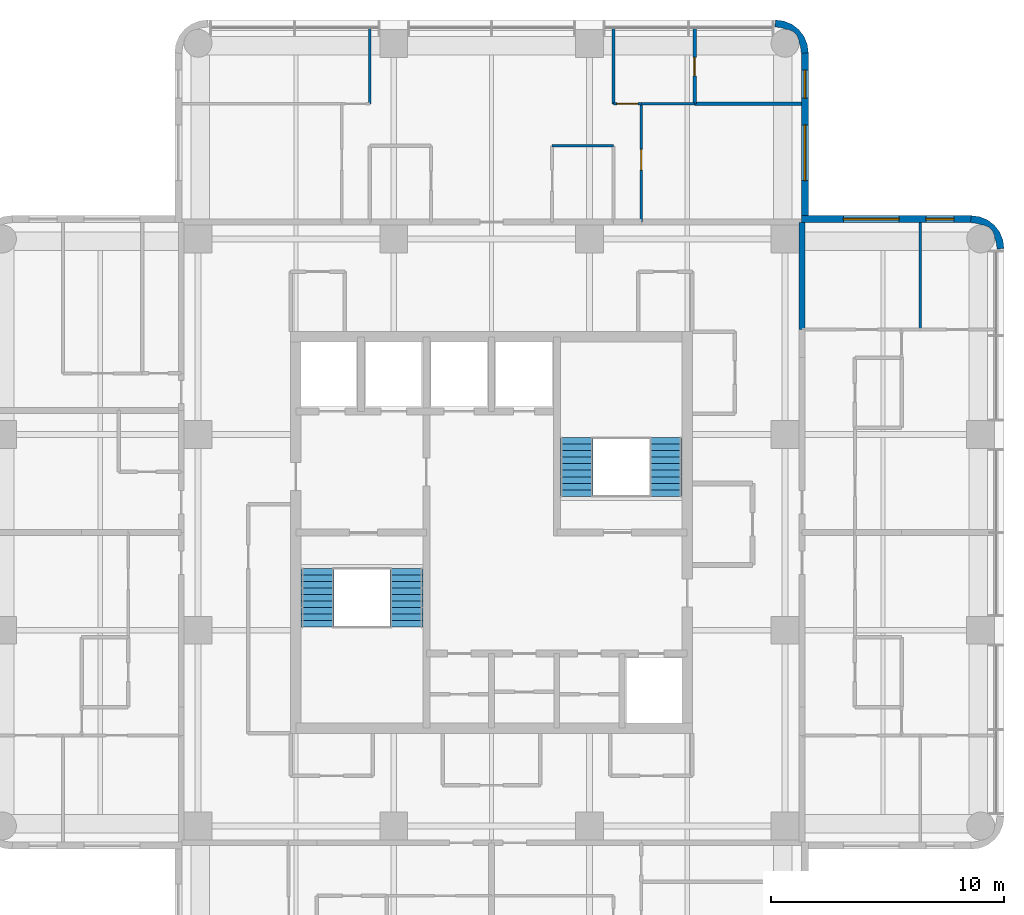
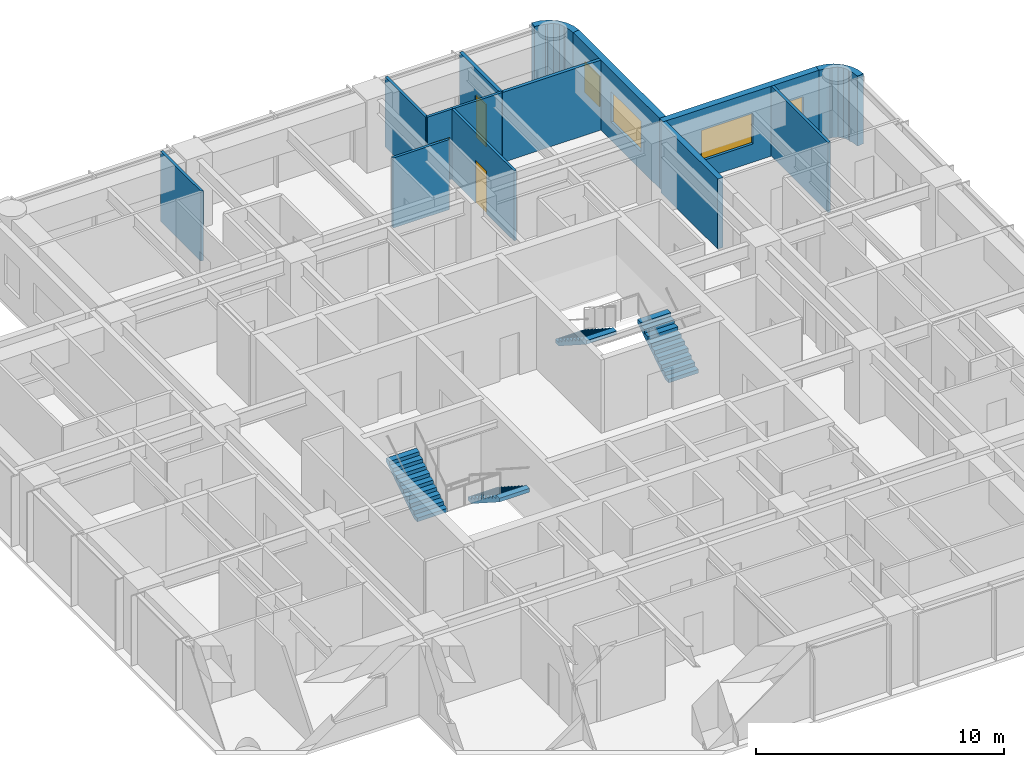
# One storey, part 9 of 10: 14 walls, 4 stair flights, 4 windows, 3 doors, 7 openings, 2 elements without a shape of their own.
"""IFC4 building model written with IfcOpenShell, lengths in metres."""

from ifc_helpers import new_model, si_unit, direction, frame, frame_2d, origin, place, context, subcontext, project, spatial, polyline, rectangle, outline, extrude, material, layer, layer_set, type_object, element, fill, aggregate, save


model = new_model("IFC4")

# Units and contexts
model_context = context("Model", 3, precision=1e-05, world=origin(), true_north=direction((0.0, 1.0)))
body_context = subcontext(model_context, "Body", "Model", "MODEL_VIEW")
ifc_project = project(units=[si_unit("LENGTHUNIT", "METRE"), si_unit("AREAUNIT", "SQUARE_METRE"), si_unit("VOLUMEUNIT", "CUBIC_METRE"), si_unit("PLANEANGLEUNIT", "RADIAN"), si_unit("MASSUNIT", "GRAM", prefix="KILO")], contexts=[model_context])

# Site, building, storey
site_placement = place(None, origin())
site = spatial("IfcSite", under=ifc_project, at=site_placement, CompositionType="ELEMENT")
building_placement = place(site_placement, origin())
building = spatial("IfcBuilding", under=site, at=building_placement, Name="Torre Alcanfor", CompositionType="ELEMENT")
storey_placement = place(building_placement, frame((0.0, 0.0, 290.10009765625)))
storey = spatial("IfcBuildingStorey", under=building, at=storey_placement, Name="L76", CompositionType="ELEMENT", Elevation=290.10009765625)

# Walls
ifc_material_1 = material(Name="Concrete block masonry, hollow blocks NMX-C-404 9 MPa", Category="masonry")
ifc_layer_1 = layer(ifc_material_1, 0.25)
ifc_layer_set_1 = layer_set([ifc_layer_1], Name="Apartment entrance wall 250 EI 60")
wall_type_1 = type_object("IfcWallType", Name="Apartment entrance wall 250 EI 60", PredefinedType="PARTITIONING", material=ifc_layer_set_1)
wall_1_placement = place(storey_placement, frame((42.72509765625, 42.699951171875, 0.0), z_axis=(0.0, 0.0, 1.0), x_axis=(0.0, -1.0, 0.0)))
element("IfcWall", 1, at=wall_1_placement, inside=storey, type_object=wall_type_1, Name="Partition L76-CORR / L76-E1-MASTER", PredefinedType="PARTITIONING", context=body_context, shape_type="SweptSolid", body=[
    extrude(rectangle(XDim=4.5859375, YDim=0.25, at=frame_2d((2.29296875, 0.0))), origin(), (0.0, 0.0, 1.0), 3.449951171875),
])
ifc_material_2 = material(Name="Gypsum board on steel studs", Category="steel")
ifc_layer_2 = layer(ifc_material_2, 0.1201171875)
ifc_layer_set_2 = layer_set([ifc_layer_2], Name="Apartment partition 120")
wall_type_2 = type_object("IfcWallType", Name="Apartment partition 120", PredefinedType="PARTITIONING", material=ifc_layer_set_2)
wall_2_placement = place(storey_placement, frame((34.62890625, 46.0, 0.0), z_axis=(0.0, 0.0, 1.0), x_axis=(-1.0, 0.0, 0.0)))
element("IfcWall", 2, at=wall_2_placement, inside=storey, type_object=wall_type_2, Name="Partition L76-NX-KITCHEN / L76-NX-LIVING", PredefinedType="PARTITIONING", context=body_context, shape_type="SweptSolid", body=[
    extrude(rectangle(XDim=2.62890625, YDim=0.1201171875, at=frame_2d((1.314453125, 0.0))), origin(), (0.0, 0.0, 1.0), 3.449951171875),
])
wall_3_placement = place(storey_placement, frame((24.1708984375, 47.800048828125, 0.0), z_axis=(0.0, 0.0, 1.0), x_axis=(0.0, 1.0, 0.0)))
element("IfcWall", 3, at=wall_3_placement, inside=storey, type_object=wall_type_2, Name="Partition L76-NX-LIVING / L76-NX-MASTER", PredefinedType="PARTITIONING", context=body_context, shape_type="SweptSolid", body=[
    extrude(rectangle(XDim=3.25, YDim=0.1201171875, at=frame_2d((1.625, 0.0))), origin(), (0.0, 0.0, 1.0), 3.449951171875),
])

# Wall, opening, door
wall_4_placement = place(storey_placement, frame((35.8291015625, 47.800048828125, 0.0), z_axis=(0.0, 0.0, 1.0), x_axis=(0.0, -1.0, 0.0)))
wall_4 = element("IfcWall", 4, at=wall_4_placement, inside=storey, type_object=wall_type_2, Name="Partition L76-NX-LIVING / L76-NX-BED3", PredefinedType="PARTITIONING", context=body_context, shape_type="SweptSolid", body=[
    extrude(rectangle(XDim=5.074951171875, YDim=0.1201171875, at=frame_2d((2.53759765625, 0.0))), origin(), (0.0, 0.0, 1.0), 3.449951171875),
])
opening_1_placement = place(wall_4_placement, frame((1.949951171875, 0.0, 0.0)))
opening_1 = element("IfcOpeningElement", 5, at=opening_1_placement, cuts=wall_4, Name="Opening D-R1", PredefinedType="OPENING", context=body_context, shape_type="SweptSolid", body=[
    extrude(rectangle(XDim=0.89990234375, YDim=2.10009765625, at=frame_2d((0.449951171875, 1.050048828125))), frame((0.0, 0.070068359375, 0.0), z_axis=(0.0, -1.0, 0.0), x_axis=(1.0, 0.0, 0.0)), (0.0, 0.0, 1.0), 0.14013671875),
])
ifc_material_3 = material(Name="Timber", Category="wood")
door_type_1 = type_object("IfcDoorType", Name="Internal door 900x2100", OperationType="SINGLE_SWING_LEFT", PredefinedType="DOOR", material=ifc_material_3)
door_1_placement = place(opening_1_placement, origin())
door_1 = element("IfcDoor", 6, at=door_1_placement, inside=storey, type_object=door_type_1, Name="Door L76-NX bed3", OperationType="SINGLE_SWING_LEFT", OverallHeight=2.10009765625, OverallWidth=0.89990234375, PredefinedType="DOOR", context=body_context, shape_type="SweptSolid", body=[
    extrude(rectangle(XDim=0.89990234375, YDim=2.10009765625, at=frame_2d((0.449951171875, 1.050048828125))), frame((0.0, 0.02490234375, 0.0), z_axis=(0.0, -1.0, 0.0), x_axis=(1.0, 0.0, 0.0)), (0.0, 0.0, 1.0), 0.050048828125),
])
fill(opening_1, door_1)

# Wall
wall_5_placement = place(storey_placement, frame((34.62890625, 51.050048828125, 0.0), z_axis=(0.0, 0.0, 1.0), x_axis=(0.0, -1.0, 0.0)))
element("IfcWall", 7, at=wall_5_placement, inside=storey, type_object=wall_type_2, Name="Partition L76-NX-LIVING / L76-NX-BED1", PredefinedType="PARTITIONING", context=body_context, shape_type="SweptSolid", body=[
    extrude(rectangle(XDim=3.25, YDim=0.1201171875, at=frame_2d((1.625, 0.0))), origin(), (0.0, 0.0, 1.0), 3.449951171875),
])

# Wall, opening, door
wall_6_placement = place(storey_placement, frame((34.62890625, 47.800048828125, 0.0), z_axis=(0.0, 0.0, 1.0), x_axis=(1.0, 0.0, 0.0)))
wall_6 = element("IfcWall", 8, at=wall_6_placement, inside=storey, type_object=wall_type_2, Name="Partition L76-NX-LIVING / L76-NX-BED1", PredefinedType="PARTITIONING", context=body_context, shape_type="SweptSolid", body=[
    extrude(rectangle(XDim=1.2001953125, YDim=0.1201171875, at=frame_2d((0.60009765625, 0.0))), origin(), (0.0, 0.0, 1.0), 3.449951171875),
])
opening_2_placement = place(wall_6_placement, frame((0.15087890625, 0.0, 0.0)))
opening_2 = element("IfcOpeningElement", 9, at=opening_2_placement, cuts=wall_6, Name="Opening D-R1", PredefinedType="OPENING", context=body_context, shape_type="SweptSolid", body=[
    extrude(rectangle(XDim=0.89990234375, YDim=2.10009765625, at=frame_2d((0.449951171875, 1.050048828125))), frame((0.0, 0.070068359375, 0.0), z_axis=(0.0, -1.0, 0.0), x_axis=(1.0, 0.0, 0.0)), (0.0, 0.0, 1.0), 0.14013671875),
])
door_2_placement = place(opening_2_placement, origin())
door_2 = element("IfcDoor", 10, at=door_2_placement, inside=storey, type_object=door_type_1, Name="Door L76-NX bed1", OperationType="SINGLE_SWING_LEFT", OverallHeight=2.10009765625, OverallWidth=0.89990234375, PredefinedType="DOOR", context=body_context, shape_type="SweptSolid", body=[
    extrude(rectangle(XDim=0.89990234375, YDim=2.10009765625, at=frame_2d((0.449951171875, 1.050048828125))), frame((0.0, 0.02490234375, 0.0), z_axis=(0.0, -1.0, 0.0), x_axis=(1.0, 0.0, 0.0)), (0.0, 0.0, 1.0), 0.050048828125),
])
fill(opening_2, door_2)

# Walls
wall_7_placement = place(storey_placement, frame((38.114013671875, 47.800048828125, 0.0), z_axis=(0.0, 0.0, 1.0), x_axis=(-1.0, 0.0, 0.0)))
element("IfcWall", 11, at=wall_7_placement, inside=storey, type_object=wall_type_2, Name="Partition L76-NX-BED3 / L76-NX-BED1", PredefinedType="PARTITIONING", context=body_context, shape_type="SweptSolid", body=[
    extrude(rectangle(XDim=2.284912109375, YDim=0.1201171875, at=frame_2d((1.142578125, 0.0))), origin(), (0.0, 0.0, 1.0), 3.449951171875),
])
wall_8_placement = place(storey_placement, frame((47.800048828125, 38.114013671875, 0.0), z_axis=(0.0, 0.0, 1.0), x_axis=(0.0, 1.0, 0.0)))
element("IfcWall", 12, at=wall_8_placement, inside=storey, type_object=wall_type_2, Name="Partition L76-E1-MASTER / L76-E1-BED2", PredefinedType="PARTITIONING", context=body_context, shape_type="SweptSolid", body=[
    extrude(rectangle(XDim=4.5859375, YDim=0.1201171875, at=frame_2d((2.29296875, 0.0))), origin(), (0.0, 0.0, 1.0), 3.449951171875),
])

# Wall, openings, windows
ifc_material_4 = material(Name="Limestone cladding", Category="masonry")
ifc_layer_3 = layer(ifc_material_4, 0.0400390625, Name="Facing")
ifc_material_5 = material(Name="Ventilated air cavity")
ifc_layer_4 = layer(ifc_material_5, 0.02001953125, ventilated=True, Name="Ventilated joint")
ifc_material_6 = material(Name="Mineral wool insulation", Category="insulation")
ifc_layer_5 = layer(ifc_material_6, 0.10009765625, Name="Insulation")
ifc_material_7 = material(Name="Concrete f'c 35 MPa", Category="concrete")
ifc_layer_6 = layer(ifc_material_7, 0.139892578125, Name="Backing")
ifc_layer_set_3 = layer_set([ifc_layer_3, ifc_layer_4, ifc_layer_5, ifc_layer_6], Name="External wall stone-clad 300")
wall_type_3 = type_object("IfcWallType", Name="External wall stone-clad 300", PredefinedType="SOLIDWALL", material=ifc_layer_set_3)
wall_9_placement = place(storey_placement, frame((50.0, 42.85009765625, 0.0), z_axis=(0.0, 0.0, 1.0), x_axis=(-1.0, 0.0, 0.0)))
wall_9 = element("IfcWall", 13, at=wall_9_placement, inside=storey, type_object=wall_type_3, Name="External wall L76 9", PredefinedType="SOLIDWALL", context=body_context, shape_type="SweptSolid", body=[
    extrude(rectangle(XDim=7.300048828125, YDim=0.300048828125, at=frame_2d((3.64990234375, 0.0))), origin(), (0.0, 0.0, 1.0), 3.449951171875),
])
opening_3_placement = place(wall_9_placement, frame((3.10009765625, 0.0, 0.89990234375)))
opening_3 = element("IfcOpeningElement", 14, at=opening_3_placement, cuts=wall_9, Name="Opening W1", PredefinedType="OPENING", context=body_context, shape_type="SweptSolid", body=[
    extrude(rectangle(XDim=2.39990234375, YDim=1.5, at=frame_2d((1.199951171875, 0.75))), frame((0.0, 0.159912109375, 0.0), z_axis=(0.0, -1.0, 0.0), x_axis=(1.0, 0.0, 0.0)), (0.0, 0.0, 1.0), 0.320068359375),
])
opening_4_placement = place(wall_9_placement, frame((0.75, 0.0, 0.89990234375)))
opening_4 = element("IfcOpeningElement", 15, at=opening_4_placement, cuts=wall_9, Name="Opening W4", PredefinedType="OPENING", context=body_context, shape_type="SweptSolid", body=[
    extrude(rectangle(XDim=1.199951171875, YDim=1.5, at=frame_2d((0.60009765625, 0.75))), frame((0.0, 0.159912109375, 0.0), z_axis=(0.0, -1.0, 0.0), x_axis=(1.0, 0.0, 0.0)), (0.0, 0.0, 1.0), 0.320068359375),
])
ifc_material_8 = material(Name="Aluminium frame with clear double glazing", Category="aluminium")
window_type_1 = type_object("IfcWindowType", Name="Window bedroom 1200x1500", PartitioningType="SINGLE_PANEL", PredefinedType="WINDOW", material=ifc_material_8)
window_1_placement = place(opening_4_placement, origin())
window_1 = element("IfcWindow", 16, at=window_1_placement, inside=storey, type_object=window_type_1, Name="Window W4 L76-E1", OverallHeight=1.5, OverallWidth=1.199951171875, PartitioningType="SINGLE_PANEL", PredefinedType="WINDOW", context=body_context, shape_type="SweptSolid", body=[
    extrude(rectangle(XDim=1.199951171875, YDim=1.5, at=frame_2d((0.60009765625, 0.75))), frame((0.0, 0.030029296875, 0.0), z_axis=(0.0, -1.0, 0.0), x_axis=(1.0, 0.0, 0.0)), (0.0, 0.0, 1.0), 0.06005859375),
])
fill(opening_4, window_1)
ifc_material_9 = material(Name="Aluminium frame with clear double glazing", Category="aluminium")
window_type_2 = type_object("IfcWindowType", Name="Window bedroom 2400x1500", PartitioningType="SINGLE_PANEL", PredefinedType="WINDOW", material=ifc_material_9)
window_2_placement = place(opening_3_placement, origin())
window_2 = element("IfcWindow", 17, at=window_2_placement, inside=storey, type_object=window_type_2, Name="Window W1 L76-E1", OverallHeight=1.5, OverallWidth=2.39990234375, PartitioningType="SINGLE_PANEL", PredefinedType="WINDOW", context=body_context, shape_type="SweptSolid", body=[
    extrude(rectangle(XDim=2.39990234375, YDim=1.5, at=frame_2d((1.199951171875, 0.75))), frame((0.0, 0.030029296875, 0.0), z_axis=(0.0, -1.0, 0.0), x_axis=(1.0, 0.0, 0.0)), (0.0, 0.0, 1.0), 0.06005859375),
])
fill(opening_3, window_2)

wall_10_placement = place(storey_placement, frame((42.85009765625, 43.0, 0.0), z_axis=(0.0, 0.0, 1.0), x_axis=(0.0, 1.0, 0.0)))
wall_10 = element("IfcWall", 18, at=wall_10_placement, inside=storey, type_object=wall_type_3, Name="External wall L76 10", PredefinedType="SOLIDWALL", context=body_context, shape_type="SweptSolid", body=[
    extrude(rectangle(XDim=7.0, YDim=0.300048828125, at=frame_2d((3.5, 0.0))), origin(), (0.0, 0.0, 1.0), 3.449951171875),
])
opening_5_placement = place(wall_10_placement, frame((1.5, 0.0, 0.89990234375)))
opening_5 = element("IfcOpeningElement", 19, at=opening_5_placement, cuts=wall_10, Name="Opening W1", PredefinedType="OPENING", context=body_context, shape_type="SweptSolid", body=[
    extrude(rectangle(XDim=2.39990234375, YDim=1.5, at=frame_2d((1.199951171875, 0.75))), frame((0.0, 0.159912109375, 0.0), z_axis=(0.0, -1.0, 0.0), x_axis=(1.0, 0.0, 0.0)), (0.0, 0.0, 1.0), 0.320068359375),
])
opening_6_placement = place(wall_10_placement, frame((5.050048828125, 0.0, 0.89990234375)))
opening_6 = element("IfcOpeningElement", 20, at=opening_6_placement, cuts=wall_10, Name="Opening W4", PredefinedType="OPENING", context=body_context, shape_type="SweptSolid", body=[
    extrude(rectangle(XDim=1.199951171875, YDim=1.5, at=frame_2d((0.60009765625, 0.75))), frame((0.0, 0.159912109375, 0.0), z_axis=(0.0, -1.0, 0.0), x_axis=(1.0, 0.0, 0.0)), (0.0, 0.0, 1.0), 0.320068359375),
])
window_3_placement = place(opening_6_placement, origin())
window_3 = element("IfcWindow", 21, at=window_3_placement, inside=storey, type_object=window_type_1, Name="Window W4 L76-N2", OverallHeight=1.5, OverallWidth=1.199951171875, PartitioningType="SINGLE_PANEL", PredefinedType="WINDOW", context=body_context, shape_type="SweptSolid", body=[
    extrude(rectangle(XDim=1.199951171875, YDim=1.5, at=frame_2d((0.60009765625, 0.75))), frame((0.0, 0.030029296875, 0.0), z_axis=(0.0, -1.0, 0.0), x_axis=(1.0, 0.0, 0.0)), (0.0, 0.0, 1.0), 0.06005859375),
])
fill(opening_6, window_3)
window_4_placement = place(opening_5_placement, origin())
window_4 = element("IfcWindow", 22, at=window_4_placement, inside=storey, type_object=window_type_2, Name="Window W1 L76-N2", OverallHeight=1.5, OverallWidth=2.39990234375, PartitioningType="SINGLE_PANEL", PredefinedType="WINDOW", context=body_context, shape_type="SweptSolid", body=[
    extrude(rectangle(XDim=2.39990234375, YDim=1.5, at=frame_2d((1.199951171875, 0.75))), frame((0.0, 0.030029296875, 0.0), z_axis=(0.0, -1.0, 0.0), x_axis=(1.0, 0.0, 0.0)), (0.0, 0.0, 1.0), 0.06005859375),
])
fill(opening_5, window_4)

# Walls
ifc_layer_7 = layer(ifc_material_4, 0.0400390625, Name="Facing")
ifc_layer_8 = layer(ifc_material_5, 0.02001953125, ventilated=True, Name="Ventilated joint")
ifc_layer_9 = layer(ifc_material_6, 0.10009765625, Name="Insulation")
ifc_layer_10 = layer(ifc_material_7, 0.139892578125, Name="Backing")
ifc_layer_set_4 = layer_set([ifc_layer_7, ifc_layer_8, ifc_layer_9, ifc_layer_10], Name="Rounded corner pier stone-clad 300")
wall_type_4 = type_object("IfcWallType", Name="Rounded corner pier stone-clad 300", PredefinedType="SOLIDWALL", material=ifc_layer_set_4)
wall_11_placement = place(storey_placement, frame((50.975898117, 41.638418254, 0.0), z_axis=(0.0, 0.0, 1.0), x_axis=(0.707106781187, 0.707106781187, 0.0)))
element("IfcWall", 23, at=wall_11_placement, inside=storey, type_object=wall_type_4, Name="Corner pier L76 18", PredefinedType="SOLIDWALL", context=body_context, shape_type="SweptSolid", body=[
    extrude(outline(polyline([(0.23318643990489343, 0.11416555226925765), (0.04674226908422171, -0.12890240376361806), (0.032758956272671336, -0.14288571657516844), (0.27271950945853585, -0.32691301851483145), (0.4952440800028376, -0.03706138628528721), (0.6350772081183413, 0.3006097230899294), (0.682724051772513, 0.6627947882582343), (0.6350772081183413, 1.0253251204095404), (0.4952440800028376, 1.3629962297847569), (0.27271950945853585, 1.6528478620143012), (0.032586322781170685, 1.4686479265831376), (0.04656963559272109, 1.454664613771587), (0.2330138064133928, 1.2115966577387114), (0.2922270939981062, 1.0691740272506984), (0.35800045425984317, 1.0034006669889615), (0.44949620475517277, 0.7824297978681654), (0.4493235712636722, 0.5433324121398039), (0.3578278207683425, 0.32236154301900777), (0.29222709399810615, 0.2567608162487714), (0.23318643990489343, 0.11416555226925765)])), origin(), (0.0, 0.0, 1.0), 3.449951171875),
])
wall_12_placement = place(storey_placement, frame((42.575898117, 50.038418254, 0.0), z_axis=(0.0, 0.0, 1.0), x_axis=(0.707106781187, 0.707106781187, 0.0)))
element("IfcWall", 24, at=wall_12_placement, inside=storey, type_object=wall_type_4, Name="Corner pier L76 19", PredefinedType="SOLIDWALL", context=body_context, shape_type="SweptSolid", body=[
    extrude(outline(polyline([(0.2330138064133928, 0.11420007896755979), (0.0465696355927211, -0.12886787706531594), (0.03258632278117072, -0.14285118987686632), (0.27271950945853585, -0.32705112530802993), (0.4952440800028376, -0.03719949307848569), (0.6350772081183413, 0.3004716162967309), (0.682724051772513, 0.663001948448037), (0.6350772081183413, 1.025187013616342), (0.4952440800028376, 1.3628581229915584), (0.27271950945853596, 1.6527097552211027), (0.032758956272671336, 1.4686824532814398), (0.046742269084221744, 1.4546991404698892), (0.23318643990489346, 1.2116311844370136), (0.2922270939981061, 1.0690359204575), (0.35782782076834246, 1.0034351936872634), (0.4493235712636722, 0.7824643245664674), (0.44949620475517277, 0.543366938838106), (0.3580004542598431, 0.3223960697173099), (0.29222709399810615, 0.2566227094555729), (0.2330138064133928, 0.11420007896755979)])), origin(), (0.0, 0.0, 1.0), 3.449951171875),
])
ifc_material_10 = material(Name="Cement board on steel studs", Category="steel")
ifc_layer_11 = layer(ifc_material_10, 0.14990234375)
ifc_layer_set_5 = layer_set([ifc_layer_11], Name="Wet area partition 150")
wall_type_5 = type_object("IfcWallType", Name="Wet area partition 150", PredefinedType="PARTITIONING", material=ifc_layer_set_5)
wall_13_placement = place(storey_placement, frame((42.699951171875, 47.800048828125, 0.0), z_axis=(0.0, 0.0, 1.0), x_axis=(-1.0, 0.0, 0.0)))
element("IfcWall", 25, at=wall_13_placement, inside=storey, type_object=wall_type_5, Name="Partition L76-NX-BED3 / L76-NX-BATH1", PredefinedType="PARTITIONING", context=body_context, shape_type="SweptSolid", body=[
    extrude(rectangle(XDim=4.5859375, YDim=0.14990234375, at=frame_2d((2.29296875, 0.0))), origin(), (0.0, 0.0, 1.0), 3.449951171875),
])

# Wall, opening, door
wall_14_placement = place(storey_placement, frame((38.114013671875, 51.050048828125, 0.0), z_axis=(0.0, 0.0, 1.0), x_axis=(0.0, -1.0, 0.0)))
wall_14 = element("IfcWall", 26, at=wall_14_placement, inside=storey, type_object=wall_type_5, Name="Partition L76-NX-BATH1 / L76-NX-BED1", PredefinedType="PARTITIONING", context=body_context, shape_type="SweptSolid", body=[
    extrude(rectangle(XDim=3.25, YDim=0.14990234375, at=frame_2d((1.625, 0.0))), origin(), (0.0, 0.0, 1.0), 3.449951171875),
])
opening_7_placement = place(wall_14_placement, frame((1.25, 0.0, 0.0)))
opening_7 = element("IfcOpeningElement", 27, at=opening_7_placement, cuts=wall_14, Name="Opening D-R2", PredefinedType="OPENING", context=body_context, shape_type="SweptSolid", body=[
    extrude(rectangle(XDim=0.800048828125, YDim=2.10009765625, at=frame_2d((0.39990234375, 1.050048828125))), frame((0.0, 0.0849609375, 0.0), z_axis=(0.0, -1.0, 0.0), x_axis=(1.0, 0.0, 0.0)), (0.0, 0.0, 1.0), 0.169921875),
])
ifc_material_11 = material(Name="Timber", Category="wood")
door_type_2 = type_object("IfcDoorType", Name="Bathroom door 800x2100", OperationType="SINGLE_SWING_LEFT", PredefinedType="DOOR", material=ifc_material_11)
door_3_placement = place(opening_7_placement, frame((0.800048828125, 0.0, 0.0), z_axis=(0.0, 0.0, 1.0), x_axis=(-1.0, 0.0, 0.0)))
door_3 = element("IfcDoor", 28, at=door_3_placement, inside=storey, type_object=door_type_2, Name="Door L76-NX bath1", OperationType="SINGLE_SWING_LEFT", OverallHeight=2.10009765625, OverallWidth=0.800048828125, PredefinedType="DOOR", context=body_context, shape_type="SweptSolid", body=[
    extrude(rectangle(XDim=0.800048828125, YDim=2.10009765625, at=frame_2d((0.400146484375, 1.050048828125))), frame((0.0, 0.025146484375, 0.0), z_axis=(0.0, -1.0, 0.0), x_axis=(1.0, 0.0, 0.0)), (0.0, 0.0, 1.0), 0.050048828125),
])
fill(opening_7, door_3)

# Stair, stair flights
ifc_material_12 = material(Name="Concrete f'c 35 MPa", Category="concrete")
stair_type_1 = type_object("IfcStairType", Name="Exit stair S1 1400 wide", PredefinedType="HALF_TURN_STAIR", material=ifc_material_12)
stair_1_placement = place(storey_placement, origin())
stair_1 = element("IfcStair", 29, at=stair_1_placement, inside=storey, type_object=stair_type_1, Name="Stair S1 L76 to L77", PredefinedType="HALF_TURN_STAIR")
ifc_material_13 = material(Name="Concrete f'c 35 MPa", Category="concrete")
stair_flight_type = type_object("IfcStairFlightType", Name="Stair flight 1400", PredefinedType="STRAIGHT", material=ifc_material_13)
stair_flight_1_placement = place(storey_placement, frame((25.75, 27.85009765625, 0.0), z_axis=(0.0, 0.0, 1.0), x_axis=(0.0, -1.0, 0.0)))
stair_flight_1 = element("IfcStairFlight", 30, at=stair_flight_1_placement, type_object=stair_flight_type, Name="S1 flight 1", NumberOfRisers=10, NumberOfTreads=9, PredefinedType="STRAIGHT", RiserHeight=0.18, TreadLength=0.28, context=body_context, shape_type="SweptSolid", body=[
    extrude(outline(polyline([(0.0, 0.0), (0.0, 0.179931640625), (0.280029296875, 0.179931640625), (0.280029296875, 0.360107421875), (0.56005859375, 0.360107421875), (0.56005859375, 0.5400390625), (0.840087890625, 0.5400390625), (0.840087890625, 0.719970703125), (1.1201171875, 0.719970703125), (1.1201171875, 0.89990234375), (1.39990234375, 0.89990234375), (1.39990234375, 1.080078125), (1.679931640625, 1.080078125), (1.679931640625, 1.260009765625), (1.9599609375, 1.260009765625), (1.9599609375, 1.43994140625), (2.239990234375, 1.43994140625), (2.239990234375, 1.6201171875), (2.52001953125, 1.6201171875), (2.52001953125, 1.800048828125), (2.52001953125, 1.44189453125), (0.277099609375, 0.0), (0.0, 0.0)])), frame((0.0, 0.699951171875, 0.0), z_axis=(0.0, -1.0, 0.0), x_axis=(1.0, 0.0, 0.0)), (0.0, 0.0, 1.0), 1.39990234375),
])
stair_flight_2_placement = place(storey_placement, frame((21.925048828125, 25.330078125, 1.7998046875), z_axis=(0.0, 0.0, 1.0), x_axis=(0.0, 1.0, 0.0)))
stair_flight_2 = element("IfcStairFlight", 31, at=stair_flight_2_placement, type_object=stair_flight_type, Name="S1 flight 2", NumberOfRisers=10, NumberOfTreads=9, PredefinedType="STRAIGHT", RiserHeight=0.18, TreadLength=0.28, context=body_context, shape_type="SweptSolid", body=[
    extrude(outline(polyline([(0.0, 0.0), (0.0, 0.179931640625), (0.280029296875, 0.179931640625), (0.280029296875, 0.360107421875), (0.56005859375, 0.360107421875), (0.56005859375, 0.5400390625), (0.840087890625, 0.5400390625), (0.840087890625, 0.719970703125), (1.1201171875, 0.719970703125), (1.1201171875, 0.89990234375), (1.39990234375, 0.89990234375), (1.39990234375, 1.080078125), (1.679931640625, 1.080078125), (1.679931640625, 1.260009765625), (1.9599609375, 1.260009765625), (1.9599609375, 1.43994140625), (2.239990234375, 1.43994140625), (2.239990234375, 1.6201171875), (2.52001953125, 1.6201171875), (2.52001953125, 1.800048828125), (2.52001953125, 1.44189453125), (0.277099609375, 0.0), (0.0, 0.0)])), frame((0.0, 0.699951171875, 0.0), z_axis=(0.0, -1.0, 0.0), x_axis=(1.0, 0.0, 0.0)), (0.0, 0.0, 1.0), 1.39990234375),
])
aggregate(stair_1, [stair_flight_1, stair_flight_2])

ifc_material_14 = material(Name="Concrete f'c 35 MPa", Category="concrete")
stair_type_2 = type_object("IfcStairType", Name="Exit stair S2 1400 wide", PredefinedType="HALF_TURN_STAIR", material=ifc_material_14)
stair_2_placement = place(storey_placement, origin())
stair_2 = element("IfcStair", 32, at=stair_2_placement, inside=storey, type_object=stair_type_2, Name="Stair S2 L76 to L77", PredefinedType="HALF_TURN_STAIR")
stair_flight_3_placement = place(storey_placement, frame((36.875, 30.949951171875, 0.0), z_axis=(0.0, 0.0, 1.0), x_axis=(0.0, 1.0, 0.0)))
stair_flight_3 = element("IfcStairFlight", 33, at=stair_flight_3_placement, type_object=stair_flight_type, Name="S2 flight 1", NumberOfRisers=10, NumberOfTreads=9, PredefinedType="STRAIGHT", RiserHeight=0.18, TreadLength=0.28, context=body_context, shape_type="SweptSolid", body=[
    extrude(outline(polyline([(0.0, 0.0), (0.0, 0.179931640625), (0.280029296875, 0.179931640625), (0.280029296875, 0.360107421875), (0.56005859375, 0.360107421875), (0.56005859375, 0.5400390625), (0.840087890625, 0.5400390625), (0.840087890625, 0.719970703125), (1.1201171875, 0.719970703125), (1.1201171875, 0.89990234375), (1.39990234375, 0.89990234375), (1.39990234375, 1.080078125), (1.679931640625, 1.080078125), (1.679931640625, 1.260009765625), (1.9599609375, 1.260009765625), (1.9599609375, 1.43994140625), (2.239990234375, 1.43994140625), (2.239990234375, 1.6201171875), (2.52001953125, 1.6201171875), (2.52001953125, 1.800048828125), (2.52001953125, 1.44189453125), (0.277099609375, 0.0), (0.0, 0.0)])), frame((0.0, 0.699951171875, 0.0), z_axis=(0.0, -1.0, 0.0), x_axis=(1.0, 0.0, 0.0)), (0.0, 0.0, 1.0), 1.39990234375),
])
stair_flight_4_placement = place(storey_placement, frame((33.050048828125, 33.469970703125, 1.7998046875), z_axis=(0.0, 0.0, 1.0), x_axis=(0.0, -1.0, 0.0)))
stair_flight_4 = element("IfcStairFlight", 34, at=stair_flight_4_placement, type_object=stair_flight_type, Name="S2 flight 2", NumberOfRisers=10, NumberOfTreads=9, PredefinedType="STRAIGHT", RiserHeight=0.18, TreadLength=0.28, context=body_context, shape_type="SweptSolid", body=[
    extrude(outline(polyline([(0.0, 0.0), (0.0, 0.179931640625), (0.280029296875, 0.179931640625), (0.280029296875, 0.360107421875), (0.56005859375, 0.360107421875), (0.56005859375, 0.5400390625), (0.840087890625, 0.5400390625), (0.840087890625, 0.719970703125), (1.1201171875, 0.719970703125), (1.1201171875, 0.89990234375), (1.39990234375, 0.89990234375), (1.39990234375, 1.080078125), (1.679931640625, 1.080078125), (1.679931640625, 1.260009765625), (1.9599609375, 1.260009765625), (1.9599609375, 1.43994140625), (2.239990234375, 1.43994140625), (2.239990234375, 1.6201171875), (2.52001953125, 1.6201171875), (2.52001953125, 1.800048828125), (2.52001953125, 1.44189453125), (0.277099609375, 0.0), (0.0, 0.0)])), frame((0.0, 0.699951171875, 0.0), z_axis=(0.0, -1.0, 0.0), x_axis=(1.0, 0.0, 0.0)), (0.0, 0.0, 1.0), 1.39990234375),
])
aggregate(stair_2, [stair_flight_3, stair_flight_4])

save(model, "model.ifc")
